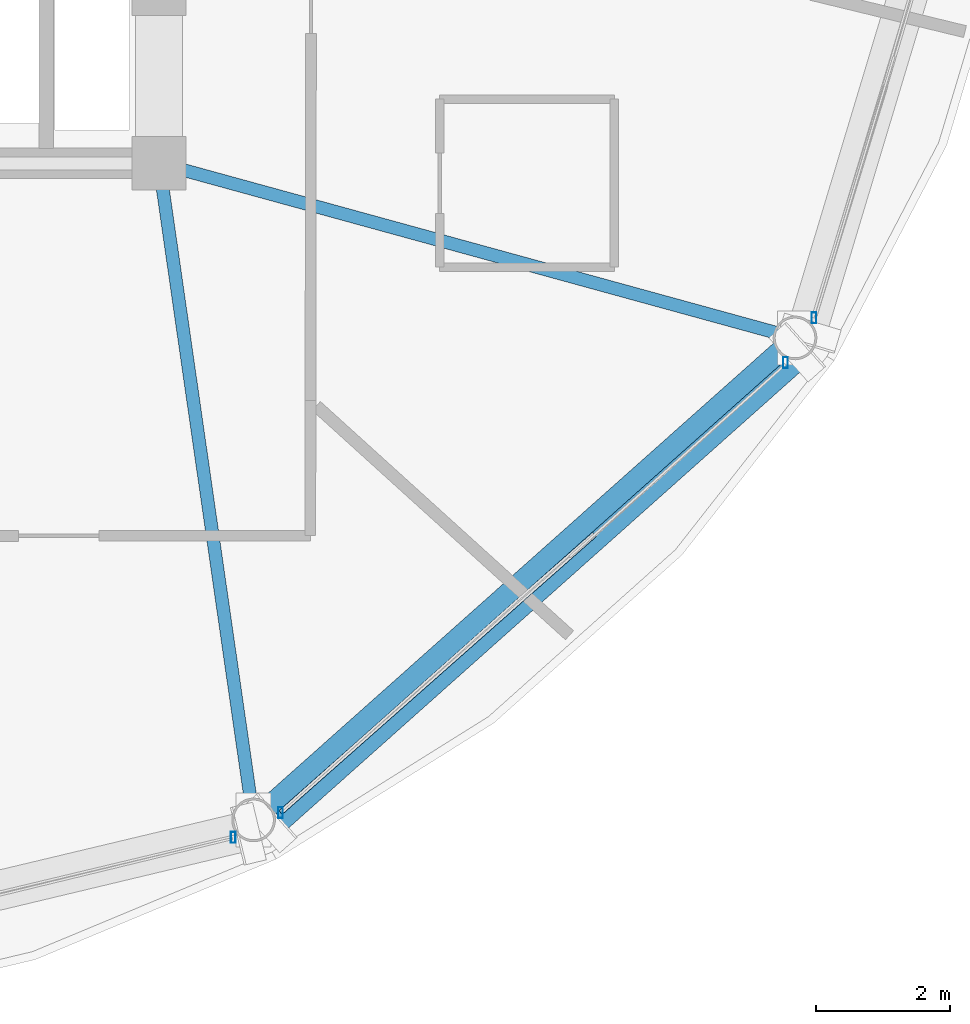
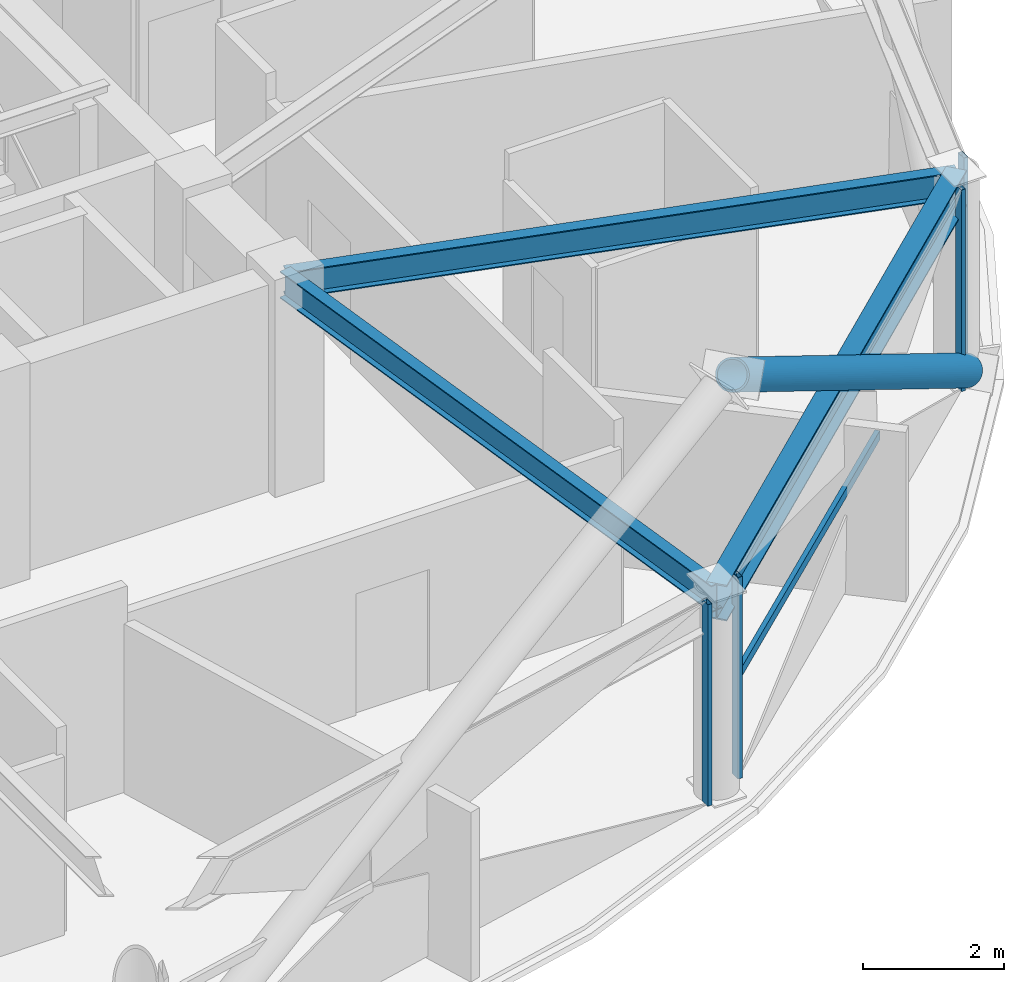
# One storey, part 11 of 29: 6 members, 3 beams, 3 elements without a shape of their own.
"""IFC4 building model written with IfcOpenShell, lengths in metres."""

from ifc_helpers import new_model, si_unit, direction, frame, origin, origin_2d, place, context, subcontext, project, spatial, hollow_rectangle, hollow_circle, i_section, extrude, material, layer, layer_set, material_profile, profile_set, type_object, element, aggregate, save


model = new_model("IFC4")

# Units and contexts
model_context = context("Model", 3, precision=1e-05, world=origin(), true_north=direction((0.0, 1.0)))
body_context = subcontext(model_context, "Body", "Model", "MODEL_VIEW")
ifc_project = project(units=[si_unit("LENGTHUNIT", "METRE"), si_unit("AREAUNIT", "SQUARE_METRE"), si_unit("VOLUMEUNIT", "CUBIC_METRE"), si_unit("PLANEANGLEUNIT", "RADIAN"), si_unit("MASSUNIT", "GRAM", prefix="KILO")], contexts=[model_context])

# Site, building, storey
site_placement = place(None, origin())
site = spatial("IfcSite", under=ifc_project, at=site_placement, CompositionType="ELEMENT")
building_placement = place(site_placement, origin())
building = spatial("IfcBuilding", under=site, at=building_placement, Name="Vantalir Tower", CompositionType="ELEMENT")
storey_placement = place(building_placement, frame((0.0, 0.0, 219.89990234375)))
storey = spatial("IfcBuildingStorey", under=building, at=storey_placement, Name="L55", CompositionType="ELEMENT", Elevation=219.89990234375)

# Beams
ifc_material_1 = material(Name="Steel S355", Category="steel")
ifc_material_profile_1 = material_profile(ifc_material_1, i_section(OverallWidth=0.19189453125, OverallDepth=0.462890625, WebThickness=0.010498046875, FlangeThickness=0.017578125, at=origin_2d()), Name="Steel S355")
ifc_profile_set_1 = profile_set([ifc_material_profile_1], Name="Steel S355")
beam_type_1 = type_object("IfcBeamType", Name="BM-RB-457x191", PredefinedType="BEAM", material=ifc_profile_set_1)
beam_1_placement = place(storey_placement, frame((42.506103515625, 8.029052734375, 3.338134765625), z_axis=(-0.142428845266, 0.989805043449, 0.0), x_axis=(-0.989805043449, -0.142428845266, 0.0)))
element("IfcBeam", 1, at=beam_1_placement, inside=storey, type_object=beam_type_1, Name="L55 Radial Floor Beam 11", PredefinedType="BEAM", context=body_context, shape_type="SweptSolid", body=[
    extrude(i_section(OverallWidth=0.19189453125, OverallDepth=0.462890625, WebThickness=0.010498046875, FlangeThickness=0.017578125, at=origin_2d()), origin(), (0.0, 0.0, 1.0), 9.87158203125),
])
beam_2_placement = place(storey_placement, frame((50.56396484375, 15.201904296875, 3.338134765625), z_axis=(-0.964320419913, 0.264737847196, 0.0), x_axis=(-0.264737847196, -0.964320419913, 0.0)))
element("IfcBeam", 2, at=beam_2_placement, inside=storey, type_object=beam_type_1, Name="L55 Radial Floor Beam 12", PredefinedType="BEAM", context=body_context, shape_type="SweptSolid", body=[
    extrude(i_section(OverallWidth=0.19189453125, OverallDepth=0.462890625, WebThickness=0.010498046875, FlangeThickness=0.017578125, at=origin_2d()), origin(), (0.0, 0.0, 1.0), 9.81396484375),
])
ifc_material_2 = material(Name="Steel S460", Category="steel")
ifc_material_profile_2 = material_profile(ifc_material_2, i_section(OverallWidth=0.306884765625, OverallDepth=0.6201171875, WebThickness=0.01416015625, FlangeThickness=0.023681640625, at=origin_2d()), Name="Steel S460")
ifc_profile_set_2 = profile_set([ifc_material_profile_2], Name="Steel S460")
beam_type_2 = type_object("IfcBeamType", Name="BM-RG-610x305", PredefinedType="USERDEFINED", material=ifc_profile_set_2)
beam_3_placement = place(storey_placement, frame((42.506103515625, 8.029052734375, 3.260009765625), z_axis=(0.746934658409, 0.664897447782, 0.0), x_axis=(-0.664897447782, 0.746934658409, 0.0)))
element("IfcBeam", 3, at=beam_3_placement, inside=storey, type_object=beam_type_2, Name="L55 Circumferential Ring Girder 11", ObjectType="GIRDER", PredefinedType="USERDEFINED", context=body_context, shape_type="SweptSolid", body=[
    extrude(i_section(OverallWidth=0.306884765625, OverallDepth=0.6201171875, WebThickness=0.01416015625, FlangeThickness=0.023681640625, at=origin_2d()), origin(), (0.0, 0.0, 1.0), 10.787841796875),
])

# Curtain wall, member
ifc_material_3 = material(Name="Champagne-silver PVDF aluminium and double-silver Low-E glass", Category="aluminium")
ifc_layer = layer(ifc_material_3, 0.2099609375)
ifc_layer_set = layer_set([ifc_layer], Name="Champagne-silver PVDF aluminium and double-silver Low-E glass")
curtain_wall_type = type_object("IfcCurtainWallType", Name="CW-DIAMOND-Z3", PredefinedType="USERDEFINED", material=ifc_layer_set)
curtain_wall_1_placement = place(storey_placement, origin())
curtain_wall_1 = element("IfcCurtainWall", 4, at=curtain_wall_1_placement, inside=storey, type_object=curtain_wall_type, Name="L55 Quilted Pyramid-Diamond Curtain Wall S10", ObjectType="UNITISED CURTAIN WALL", PredefinedType="USERDEFINED")
ifc_material_4 = material(Name="Champagne-silver PVDF aluminium 6063-T6", Category="aluminium")
ifc_material_profile_3 = material_profile(ifc_material_4, hollow_rectangle(XDim=0.070068359375, YDim=0.1650390625, WallThickness=0.00390625, at=origin_2d()), Name="Champagne-silver PVDF aluminium 6063-T6")
ifc_profile_set_3 = profile_set([ifc_material_profile_3], Name="Champagne-silver PVDF aluminium 6063-T6")
member_type_1 = type_object("IfcMemberType", Name="CWM-165x70", PredefinedType="MULLION", material=ifc_profile_set_3)
member_1_placement = place(storey_placement, frame((42.202880859375, 7.77001953125, 0.045166015625), z_axis=(0.0, 0.0, 1.0), x_axis=(1.0, 0.0, 0.0)))
member_1 = element("IfcMember", 5, at=member_1_placement, type_object=member_type_1, Name="CW-L55-S10 Mullion 2", PredefinedType="MULLION", context=body_context, shape_type="SweptSolid", body=[
    extrude(hollow_rectangle(XDim=0.070068359375, YDim=0.1650390625, WallThickness=0.00390625, at=origin_2d()), origin(), (0.0, 0.0, 1.0), 3.47998046875),
])
aggregate(curtain_wall_1, [member_1])

# Curtain wall, members
curtain_wall_2_placement = place(storey_placement, origin())
curtain_wall_2 = element("IfcCurtainWall", 6, at=curtain_wall_2_placement, inside=storey, type_object=curtain_wall_type, Name="L55 Quilted Pyramid-Diamond Curtain Wall S11", ObjectType="UNITISED CURTAIN WALL", PredefinedType="USERDEFINED")
member_2_placement = place(storey_placement, frame((42.907958984375, 8.137939453125, 0.045166015625), z_axis=(0.0, 0.0, 1.0), x_axis=(1.0, 0.0, 0.0)))
member_2 = element("IfcMember", 7, at=member_2_placement, type_object=member_type_1, Name="CW-L55-S11 Mullion 1", PredefinedType="MULLION", context=body_context, shape_type="SweptSolid", body=[
    extrude(hollow_rectangle(XDim=0.070068359375, YDim=0.1650390625, WallThickness=0.00390625, at=origin_2d()), origin(), (0.0, 0.0, 1.0), 3.47998046875),
])
member_3_placement = place(storey_placement, frame((50.422119140625, 14.833984375, 0.045166015625), z_axis=(0.0, 0.0, 1.0), x_axis=(1.0, 0.0, 0.0)))
member_3 = element("IfcMember", 8, at=member_3_placement, type_object=member_type_1, Name="CW-L55-S11 Mullion 2", PredefinedType="MULLION", context=body_context, shape_type="SweptSolid", body=[
    extrude(hollow_rectangle(XDim=0.070068359375, YDim=0.1650390625, WallThickness=0.00390625, at=origin_2d()), origin(), (0.0, 0.0, 1.0), 3.47998046875),
])

# Curtain wall, member
curtain_wall_3_placement = place(storey_placement, origin())
curtain_wall_3 = element("IfcCurtainWall", 9, at=curtain_wall_3_placement, inside=storey, type_object=curtain_wall_type, Name="L55 Quilted Pyramid-Diamond Curtain Wall S12", ObjectType="UNITISED CURTAIN WALL", PredefinedType="USERDEFINED")
member_4_placement = place(storey_placement, frame((50.845947265625, 15.5, 0.045166015625), z_axis=(0.0, 0.0, 1.0), x_axis=(1.0, 0.0, 0.0)))
member_4 = element("IfcMember", 10, at=member_4_placement, type_object=member_type_1, Name="CW-L55-S12 Mullion 1", PredefinedType="MULLION", context=body_context, shape_type="SweptSolid", body=[
    extrude(hollow_rectangle(XDim=0.070068359375, YDim=0.1650390625, WallThickness=0.00390625, at=origin_2d()), origin(), (0.0, 0.0, 1.0), 3.47998046875),
])
aggregate(curtain_wall_3, [member_4])

# Member
ifc_material_profile_4 = material_profile(ifc_material_4, hollow_rectangle(XDim=0.074951171875, YDim=0.159912109375, WallThickness=0.00390625, at=origin_2d()), Name="Champagne-silver PVDF aluminium 6063-T6")
ifc_profile_set_4 = profile_set([ifc_material_profile_4], Name="Champagne-silver PVDF aluminium 6063-T6")
member_type_2 = type_object("IfcMemberType", Name="CWT-160x75", PredefinedType="USERDEFINED", material=ifc_profile_set_4)
member_5_placement = place(storey_placement, frame((42.907958984375, 8.137939453125, 1.78515625), z_axis=(0.749027159809, 0.66253929232, 0.0), x_axis=(-0.66253929232, 0.749027159809, 0.0)))
member_5 = element("IfcMember", 11, at=member_5_placement, type_object=member_type_2, Name="CW-L55-S11 Pyramid Fold Ridge Transom", ObjectType="TRANSOM", PredefinedType="USERDEFINED", context=body_context, shape_type="SweptSolid", body=[
    extrude(hollow_rectangle(XDim=0.074951171875, YDim=0.159912109375, WallThickness=0.00390625, at=origin_2d()), origin(), (0.0, 0.0, 1.0), 6.244140625),
])

aggregate(curtain_wall_2, [member_2, member_3, member_5])

ifc_material_profile_5 = material_profile(ifc_material_2, hollow_circle(Radius=0.25, WallThickness=0.031982421875, at=origin_2d()), Name="Steel S460")
ifc_profile_set_5 = profile_set([ifc_material_profile_5], Name="Steel S460")
member_type_3 = type_object("IfcMemberType", Name="MEM-DB-500x32", PredefinedType="BRACE", material=ifc_profile_set_5)
member_6_placement = place(storey_placement, frame((50.591064453125, 14.985107421875, 0.201171875), z_axis=(-0.623717777386, -0.555881051272, 0.549520146136), x_axis=(0.665342966023, -0.746537833981, 0.0)))
element("IfcMember", 12, at=member_6_placement, inside=storey, type_object=member_type_3, Name="L55 Perimeter S460 Diagrid Brace R34R", PredefinedType="BRACE", context=body_context, shape_type="SweptSolid", body=[
    extrude(hollow_circle(Radius=0.25, WallThickness=0.031982421875, at=origin_2d()), origin(), (0.0, 0.0, 1.0), 12.589111328125),
])

save(model, "model.ifc")
